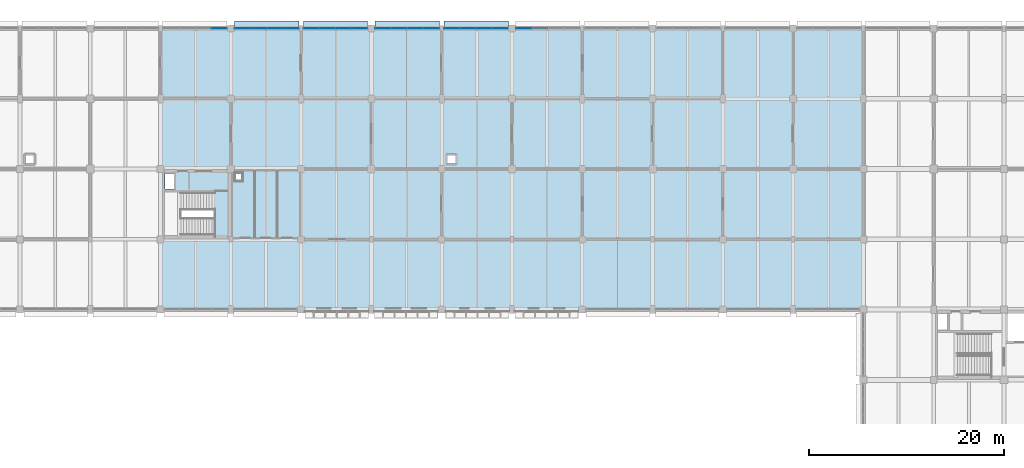
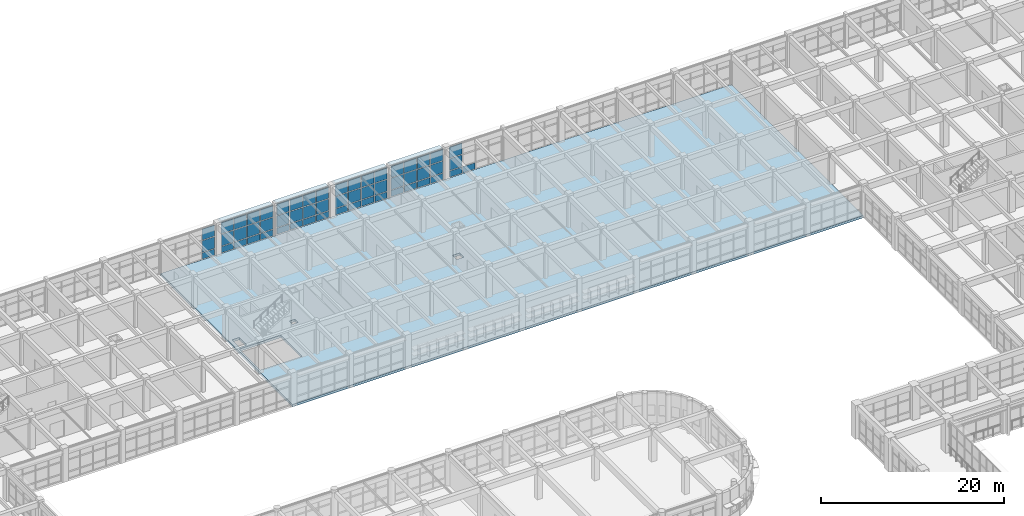
# One storey, part 138 of 171: 59 plates, 1 slab, 6 elements without a shape of their own.
"""IFC4 building model written with IfcOpenShell, lengths in metres."""

from ifc_helpers import new_model, si_unit, direction, frame, origin, origin_2d, place, context, subcontext, project, spatial, polyline, rectangle, outline, extrude, material, layer, layer_set, type_object, element, aggregate, save


model = new_model("IFC4")

# Units and contexts
model_context = context("Model", 3, precision=1e-05, world=origin(), true_north=direction((0.0, 1.0)))
body_context = subcontext(model_context, "Body", "Model", "MODEL_VIEW")
ifc_project = project(units=[si_unit("LENGTHUNIT", "METRE"), si_unit("AREAUNIT", "SQUARE_METRE"), si_unit("VOLUMEUNIT", "CUBIC_METRE"), si_unit("PLANEANGLEUNIT", "RADIAN"), si_unit("MASSUNIT", "GRAM", prefix="KILO")], contexts=[model_context])

# Site, building, storey
site_placement = place(None, origin())
site = spatial("IfcSite", under=ifc_project, at=site_placement, CompositionType="ELEMENT")
building_placement = place(site_placement, origin())
building = spatial("IfcBuilding", under=site, at=building_placement, Name="Thalmaran Polytechnic", CompositionType="ELEMENT")
storey_placement = place(building_placement, frame((0.0, 0.0, 5.39990234375)))
storey = spatial("IfcBuildingStorey", under=building, at=storey_placement, Name="L01", CompositionType="ELEMENT", Elevation=5.39990234375)

# Plates
ifc_material_1 = material(Name="Anodised aluminium sun-hood eyebrow", Category="aluminium")
ifc_layer_1 = layer(ifc_material_1, 0.0849609375, Name="Anodised aluminium sun-hood eyebrow")
ifc_layer_set_1 = layer_set([ifc_layer_1], Name="Anodised aluminium sun-hood eyebrow")
plate_type_1 = type_object("IfcPlateType", Name="PT-EB01", PredefinedType="SHEET", material=ifc_layer_set_1)
for number, where, z_axis, x_axis, name in (
    (1, (68.47998046875, 122.760009765625, 4.107666015625), (0.0, 0.0, 1.0), (1.0, 0.0, 0.0), "Streamline Sun-Hood Eyebrow L01-CW088"),
    (2, (75.52001953125, 122.760009765625, 4.107666015625), (0.0, 0.0, 1.0), (1.0, 0.0, 0.0), "Streamline Sun-Hood Eyebrow L01-CW089"),
    (3, (82.8798828125, 122.760009765625, 4.107666015625), (0.0, 0.0, 1.0), (1.0, 0.0, 0.0), "Streamline Sun-Hood Eyebrow L01-CW090"),
    (4, (89.919921875, 122.760009765625, 4.107666015625), (0.0, 0.0, 1.0), (1.0, 0.0, 0.0), "Streamline Sun-Hood Eyebrow L01-CW091"),
):
    element("IfcPlate", number, at=place(storey_placement, frame(where, z_axis=z_axis, x_axis=x_axis)), inside=storey, type_object=plate_type_1, Name=name, PredefinedType="SHEET", context=body_context, shape_type="SweptSolid", body=[
        extrude(rectangle(XDim=6.60009765625, YDim=0.760009765625, at=origin_2d()), origin(), (0.0, 0.0, 1.0), 0.0849609375),
    ])

# Curtain wall, plates
ifc_material_2 = material(Name="Aluminium 6063-T6", Category="aluminium")
curtain_wall_type = type_object("IfcCurtainWallType", Name="CW-UC02", PredefinedType="USERDEFINED", material=ifc_material_2)
curtain_wall_1_placement = place(storey_placement, origin())
curtain_wall_1 = element("IfcCurtainWall", 5, at=curtain_wall_1_placement, inside=storey, type_object=curtain_wall_type, Name="Curtain Wall CW-L01-090", ObjectType="UNITISED CURTAIN WALL", PredefinedType="USERDEFINED")
ifc_material_3 = material(Name="Solar-control double low-E glass", Category="glass")
ifc_layer_2 = layer(ifc_material_3, 0.035888671875, Name="Solar-control double low-E glass")
ifc_layer_set_2 = layer_set([ifc_layer_2], Name="Solar-control double low-E glass")
plate_type_2 = type_object("IfcPlateType", Name="PT-GL01", PredefinedType="CURTAIN_PANEL", material=ifc_layer_set_2)
plate_1_placement = place(storey_placement, frame((80.389892578125, 122.39990234375, 1.000244140625), z_axis=(0.0, 0.0, 1.0), x_axis=(1.0, 0.0, 0.0)))
plate_1 = element("IfcPlate", 6, at=plate_1_placement, type_object=plate_type_2, Name="CW-L01-090 Vision Panel 1-2", PredefinedType="CURTAIN_PANEL", context=body_context, shape_type="SweptSolid", body=[
    extrude(rectangle(XDim=1.56005859375, YDim=0.035888671875, at=origin_2d()), origin(), (0.0, 0.0, 1.0), 1.544921875),
])
plate_2_placement = place(storey_placement, frame((80.389892578125, 122.39990234375, 2.625), z_axis=(0.0, 0.0, 1.0), x_axis=(1.0, 0.0, 0.0)))
plate_2 = element("IfcPlate", 7, at=plate_2_placement, type_object=plate_type_2, Name="CW-L01-090 Vision Panel 1-3", PredefinedType="CURTAIN_PANEL", context=body_context, shape_type="SweptSolid", body=[
    extrude(rectangle(XDim=1.56005859375, YDim=0.035888671875, at=origin_2d()), origin(), (0.0, 0.0, 1.0), 1.485107421875),
])
plate_3_placement = place(storey_placement, frame((82.050048828125, 122.39990234375, 1.000244140625), z_axis=(0.0, 0.0, 1.0), x_axis=(1.0, 0.0, 0.0)))
plate_3 = element("IfcPlate", 8, at=plate_3_placement, type_object=plate_type_2, Name="CW-L01-090 Vision Panel 2-2", PredefinedType="CURTAIN_PANEL", context=body_context, shape_type="SweptSolid", body=[
    extrude(rectangle(XDim=1.56005859375, YDim=0.035888671875, at=origin_2d()), origin(), (0.0, 0.0, 1.0), 1.544921875),
])
plate_4_placement = place(storey_placement, frame((82.050048828125, 122.39990234375, 2.625), z_axis=(0.0, 0.0, 1.0), x_axis=(1.0, 0.0, 0.0)))
plate_4 = element("IfcPlate", 9, at=plate_4_placement, type_object=plate_type_2, Name="CW-L01-090 Vision Panel 2-3", PredefinedType="CURTAIN_PANEL", context=body_context, shape_type="SweptSolid", body=[
    extrude(rectangle(XDim=1.56005859375, YDim=0.035888671875, at=origin_2d()), origin(), (0.0, 0.0, 1.0), 1.485107421875),
])
plate_5_placement = place(storey_placement, frame((83.7099609375, 122.39990234375, 1.000244140625), z_axis=(0.0, 0.0, 1.0), x_axis=(1.0, 0.0, 0.0)))
plate_5 = element("IfcPlate", 10, at=plate_5_placement, type_object=plate_type_2, Name="CW-L01-090 Vision Panel 3-2", PredefinedType="CURTAIN_PANEL", context=body_context, shape_type="SweptSolid", body=[
    extrude(rectangle(XDim=1.56005859375, YDim=0.035888671875, at=origin_2d()), origin(), (0.0, 0.0, 1.0), 1.544921875),
])
plate_6_placement = place(storey_placement, frame((83.7099609375, 122.39990234375, 2.625), z_axis=(0.0, 0.0, 1.0), x_axis=(1.0, 0.0, 0.0)))
plate_6 = element("IfcPlate", 11, at=plate_6_placement, type_object=plate_type_2, Name="CW-L01-090 Vision Panel 3-3", PredefinedType="CURTAIN_PANEL", context=body_context, shape_type="SweptSolid", body=[
    extrude(rectangle(XDim=1.56005859375, YDim=0.035888671875, at=origin_2d()), origin(), (0.0, 0.0, 1.0), 1.485107421875),
])
plate_7_placement = place(storey_placement, frame((85.3701171875, 122.39990234375, 1.000244140625), z_axis=(0.0, 0.0, 1.0), x_axis=(1.0, 0.0, 0.0)))
plate_7 = element("IfcPlate", 12, at=plate_7_placement, type_object=plate_type_2, Name="CW-L01-090 Vision Panel 4-2", PredefinedType="CURTAIN_PANEL", context=body_context, shape_type="SweptSolid", body=[
    extrude(rectangle(XDim=1.56005859375, YDim=0.035888671875, at=origin_2d()), origin(), (0.0, 0.0, 1.0), 1.544921875),
])
plate_8_placement = place(storey_placement, frame((85.3701171875, 122.39990234375, 2.625), z_axis=(0.0, 0.0, 1.0), x_axis=(1.0, 0.0, 0.0)))
plate_8 = element("IfcPlate", 13, at=plate_8_placement, type_object=plate_type_2, Name="CW-L01-090 Vision Panel 4-3", PredefinedType="CURTAIN_PANEL", context=body_context, shape_type="SweptSolid", body=[
    extrude(rectangle(XDim=1.56005859375, YDim=0.035888671875, at=origin_2d()), origin(), (0.0, 0.0, 1.0), 1.485107421875),
])

curtain_wall_2_placement = place(storey_placement, origin())
curtain_wall_2 = element("IfcCurtainWall", 14, at=curtain_wall_2_placement, inside=storey, type_object=curtain_wall_type, Name="Curtain Wall CW-L01-091", ObjectType="UNITISED CURTAIN WALL", PredefinedType="USERDEFINED")
ifc_layer_3 = layer(ifc_material_3, 0.035888671875, Name="Solar-control double low-E glass")
ifc_layer_set_3 = layer_set([ifc_layer_3], Name="Solar-control double low-E glass")
plate_type_3 = type_object("IfcPlateType", Name="PT-GL02", PredefinedType="CURTAIN_PANEL", material=ifc_layer_set_3)
plate_9_placement = place(storey_placement, frame((87.429931640625, 122.39990234375, 1.000244140625), z_axis=(0.0, 0.0, 1.0), x_axis=(1.0, 0.0, 0.0)))
plate_9 = element("IfcPlate", 15, at=plate_9_placement, type_object=plate_type_3, Name="CW-L01-091 Vision Panel 1-2", PredefinedType="CURTAIN_PANEL", context=body_context, shape_type="SweptSolid", body=[
    extrude(rectangle(XDim=1.56005859375, YDim=0.035888671875, at=origin_2d()), origin(), (0.0, 0.0, 1.0), 1.544921875),
])
plate_10_placement = place(storey_placement, frame((87.429931640625, 122.39990234375, 2.625), z_axis=(0.0, 0.0, 1.0), x_axis=(1.0, 0.0, 0.0)))
plate_10 = element("IfcPlate", 16, at=plate_10_placement, type_object=plate_type_3, Name="CW-L01-091 Vision Panel 1-3", PredefinedType="CURTAIN_PANEL", context=body_context, shape_type="SweptSolid", body=[
    extrude(rectangle(XDim=1.56005859375, YDim=0.035888671875, at=origin_2d()), origin(), (0.0, 0.0, 1.0), 1.485107421875),
])
plate_11_placement = place(storey_placement, frame((89.090087890625, 122.39990234375, 1.000244140625), z_axis=(0.0, 0.0, 1.0), x_axis=(1.0, 0.0, 0.0)))
plate_11 = element("IfcPlate", 17, at=plate_11_placement, type_object=plate_type_3, Name="CW-L01-091 Vision Panel 2-2", PredefinedType="CURTAIN_PANEL", context=body_context, shape_type="SweptSolid", body=[
    extrude(rectangle(XDim=1.56005859375, YDim=0.035888671875, at=origin_2d()), origin(), (0.0, 0.0, 1.0), 1.544921875),
])
plate_12_placement = place(storey_placement, frame((89.090087890625, 122.39990234375, 2.625), z_axis=(0.0, 0.0, 1.0), x_axis=(1.0, 0.0, 0.0)))
plate_12 = element("IfcPlate", 18, at=plate_12_placement, type_object=plate_type_3, Name="CW-L01-091 Vision Panel 2-3", PredefinedType="CURTAIN_PANEL", context=body_context, shape_type="SweptSolid", body=[
    extrude(rectangle(XDim=1.56005859375, YDim=0.035888671875, at=origin_2d()), origin(), (0.0, 0.0, 1.0), 1.485107421875),
])
plate_13_placement = place(storey_placement, frame((90.75, 122.39990234375, 1.000244140625), z_axis=(0.0, 0.0, 1.0), x_axis=(1.0, 0.0, 0.0)))
plate_13 = element("IfcPlate", 19, at=plate_13_placement, type_object=plate_type_3, Name="CW-L01-091 Vision Panel 3-2", PredefinedType="CURTAIN_PANEL", context=body_context, shape_type="SweptSolid", body=[
    extrude(rectangle(XDim=1.56005859375, YDim=0.035888671875, at=origin_2d()), origin(), (0.0, 0.0, 1.0), 1.544921875),
])
plate_14_placement = place(storey_placement, frame((90.75, 122.39990234375, 2.625), z_axis=(0.0, 0.0, 1.0), x_axis=(1.0, 0.0, 0.0)))
plate_14 = element("IfcPlate", 20, at=plate_14_placement, type_object=plate_type_3, Name="CW-L01-091 Vision Panel 3-3", PredefinedType="CURTAIN_PANEL", context=body_context, shape_type="SweptSolid", body=[
    extrude(rectangle(XDim=1.56005859375, YDim=0.035888671875, at=origin_2d()), origin(), (0.0, 0.0, 1.0), 1.485107421875),
])
plate_15_placement = place(storey_placement, frame((92.409912109375, 122.39990234375, 1.000244140625), z_axis=(0.0, 0.0, 1.0), x_axis=(1.0, 0.0, 0.0)))
plate_15 = element("IfcPlate", 21, at=plate_15_placement, type_object=plate_type_3, Name="CW-L01-091 Vision Panel 4-2", PredefinedType="CURTAIN_PANEL", context=body_context, shape_type="SweptSolid", body=[
    extrude(rectangle(XDim=1.56005859375, YDim=0.035888671875, at=origin_2d()), origin(), (0.0, 0.0, 1.0), 1.544921875),
])
plate_16_placement = place(storey_placement, frame((92.409912109375, 122.39990234375, 2.625), z_axis=(0.0, 0.0, 1.0), x_axis=(1.0, 0.0, 0.0)))
plate_16 = element("IfcPlate", 22, at=plate_16_placement, type_object=plate_type_3, Name="CW-L01-091 Vision Panel 4-3", PredefinedType="CURTAIN_PANEL", context=body_context, shape_type="SweptSolid", body=[
    extrude(rectangle(XDim=1.56005859375, YDim=0.035888671875, at=origin_2d()), origin(), (0.0, 0.0, 1.0), 1.485107421875),
])

curtain_wall_3_placement = place(storey_placement, origin())
curtain_wall_3 = element("IfcCurtainWall", 23, at=curtain_wall_3_placement, inside=storey, type_object=curtain_wall_type, Name="Curtain Wall CW-L01-087", ObjectType="UNITISED CURTAIN WALL", PredefinedType="USERDEFINED")
ifc_layer_4 = layer(ifc_material_3, 0.035888671875, Name="Solar-control double low-E glass")
ifc_layer_set_4 = layer_set([ifc_layer_4], Name="Solar-control double low-E glass")
plate_type_4 = type_object("IfcPlateType", Name="PT-GL03", PredefinedType="CURTAIN_PANEL", material=ifc_layer_set_4)
plate_17_placement = place(storey_placement, frame((63.610107421875, 122.39990234375, 1.000244140625), z_axis=(0.0, 0.0, 1.0), x_axis=(1.0, 0.0, 0.0)))
plate_17 = element("IfcPlate", 24, at=plate_17_placement, type_object=plate_type_4, Name="CW-L01-087 Vision Panel 4-2", PredefinedType="CURTAIN_PANEL", context=body_context, shape_type="SweptSolid", body=[
    extrude(rectangle(XDim=1.56005859375, YDim=0.035888671875, at=origin_2d()), origin(), (0.0, 0.0, 1.0), 1.544921875),
])
plate_18_placement = place(storey_placement, frame((63.610107421875, 122.39990234375, 2.625), z_axis=(0.0, 0.0, 1.0), x_axis=(1.0, 0.0, 0.0)))
plate_18 = element("IfcPlate", 25, at=plate_18_placement, type_object=plate_type_4, Name="CW-L01-087 Vision Panel 4-3", PredefinedType="CURTAIN_PANEL", context=body_context, shape_type="SweptSolid", body=[
    extrude(rectangle(XDim=1.56005859375, YDim=0.035888671875, at=origin_2d()), origin(), (0.0, 0.0, 1.0), 1.485107421875),
])

curtain_wall_4_placement = place(storey_placement, origin())
curtain_wall_4 = element("IfcCurtainWall", 26, at=curtain_wall_4_placement, inside=storey, type_object=curtain_wall_type, Name="Curtain Wall CW-L01-092", ObjectType="UNITISED CURTAIN WALL", PredefinedType="USERDEFINED")
plate_19_placement = place(storey_placement, frame((94.7900390625, 122.39990234375, 1.000244140625), z_axis=(0.0, 0.0, 1.0), x_axis=(1.0, 0.0, 0.0)))
plate_19 = element("IfcPlate", 27, at=plate_19_placement, type_object=plate_type_4, Name="CW-L01-092 Vision Panel 1-2", PredefinedType="CURTAIN_PANEL", context=body_context, shape_type="SweptSolid", body=[
    extrude(rectangle(XDim=1.56005859375, YDim=0.035888671875, at=origin_2d()), origin(), (0.0, 0.0, 1.0), 1.544921875),
])
plate_20_placement = place(storey_placement, frame((94.7900390625, 122.39990234375, 2.625), z_axis=(0.0, 0.0, 1.0), x_axis=(1.0, 0.0, 0.0)))
plate_20 = element("IfcPlate", 28, at=plate_20_placement, type_object=plate_type_4, Name="CW-L01-092 Vision Panel 1-3", PredefinedType="CURTAIN_PANEL", context=body_context, shape_type="SweptSolid", body=[
    extrude(rectangle(XDim=1.56005859375, YDim=0.035888671875, at=origin_2d()), origin(), (0.0, 0.0, 1.0), 1.485107421875),
])

curtain_wall_5_placement = place(storey_placement, origin())
curtain_wall_5 = element("IfcCurtainWall", 29, at=curtain_wall_5_placement, inside=storey, type_object=curtain_wall_type, Name="Curtain Wall CW-L01-088", ObjectType="UNITISED CURTAIN WALL", PredefinedType="USERDEFINED")
ifc_layer_5 = layer(ifc_material_3, 0.035888671875, Name="Solar-control double low-E glass")
ifc_layer_set_5 = layer_set([ifc_layer_5], Name="Solar-control double low-E glass")
plate_type_5 = type_object("IfcPlateType", Name="PT-GL04", PredefinedType="CURTAIN_PANEL", material=ifc_layer_set_5)
plate_21_placement = place(storey_placement, frame((65.989990234375, 122.39990234375, 1.000244140625), z_axis=(0.0, 0.0, 1.0), x_axis=(1.0, 0.0, 0.0)))
plate_21 = element("IfcPlate", 30, at=plate_21_placement, type_object=plate_type_5, Name="CW-L01-088 Vision Panel 1-2", PredefinedType="CURTAIN_PANEL", context=body_context, shape_type="SweptSolid", body=[
    extrude(rectangle(XDim=1.56005859375, YDim=0.035888671875, at=origin_2d()), origin(), (0.0, 0.0, 1.0), 1.544921875),
])
plate_22_placement = place(storey_placement, frame((65.989990234375, 122.39990234375, 2.625), z_axis=(0.0, 0.0, 1.0), x_axis=(1.0, 0.0, 0.0)))
plate_22 = element("IfcPlate", 31, at=plate_22_placement, type_object=plate_type_5, Name="CW-L01-088 Vision Panel 1-3", PredefinedType="CURTAIN_PANEL", context=body_context, shape_type="SweptSolid", body=[
    extrude(rectangle(XDim=1.56005859375, YDim=0.035888671875, at=origin_2d()), origin(), (0.0, 0.0, 1.0), 1.485107421875),
])
plate_23_placement = place(storey_placement, frame((67.64990234375, 122.39990234375, 1.000244140625), z_axis=(0.0, 0.0, 1.0), x_axis=(1.0, 0.0, 0.0)))
plate_23 = element("IfcPlate", 32, at=plate_23_placement, type_object=plate_type_5, Name="CW-L01-088 Vision Panel 2-2", PredefinedType="CURTAIN_PANEL", context=body_context, shape_type="SweptSolid", body=[
    extrude(rectangle(XDim=1.56005859375, YDim=0.035888671875, at=origin_2d()), origin(), (0.0, 0.0, 1.0), 1.544921875),
])
plate_24_placement = place(storey_placement, frame((67.64990234375, 122.39990234375, 2.625), z_axis=(0.0, 0.0, 1.0), x_axis=(1.0, 0.0, 0.0)))
plate_24 = element("IfcPlate", 33, at=plate_24_placement, type_object=plate_type_5, Name="CW-L01-088 Vision Panel 2-3", PredefinedType="CURTAIN_PANEL", context=body_context, shape_type="SweptSolid", body=[
    extrude(rectangle(XDim=1.56005859375, YDim=0.035888671875, at=origin_2d()), origin(), (0.0, 0.0, 1.0), 1.485107421875),
])
plate_25_placement = place(storey_placement, frame((69.31005859375, 122.39990234375, 1.000244140625), z_axis=(0.0, 0.0, 1.0), x_axis=(1.0, 0.0, 0.0)))
plate_25 = element("IfcPlate", 34, at=plate_25_placement, type_object=plate_type_5, Name="CW-L01-088 Vision Panel 3-2", PredefinedType="CURTAIN_PANEL", context=body_context, shape_type="SweptSolid", body=[
    extrude(rectangle(XDim=1.56005859375, YDim=0.035888671875, at=origin_2d()), origin(), (0.0, 0.0, 1.0), 1.544921875),
])
plate_26_placement = place(storey_placement, frame((69.31005859375, 122.39990234375, 2.625), z_axis=(0.0, 0.0, 1.0), x_axis=(1.0, 0.0, 0.0)))
plate_26 = element("IfcPlate", 35, at=plate_26_placement, type_object=plate_type_5, Name="CW-L01-088 Vision Panel 3-3", PredefinedType="CURTAIN_PANEL", context=body_context, shape_type="SweptSolid", body=[
    extrude(rectangle(XDim=1.56005859375, YDim=0.035888671875, at=origin_2d()), origin(), (0.0, 0.0, 1.0), 1.485107421875),
])
plate_27_placement = place(storey_placement, frame((70.969970703125, 122.39990234375, 1.000244140625), z_axis=(0.0, 0.0, 1.0), x_axis=(1.0, 0.0, 0.0)))
plate_27 = element("IfcPlate", 36, at=plate_27_placement, type_object=plate_type_5, Name="CW-L01-088 Vision Panel 4-2", PredefinedType="CURTAIN_PANEL", context=body_context, shape_type="SweptSolid", body=[
    extrude(rectangle(XDim=1.56005859375, YDim=0.035888671875, at=origin_2d()), origin(), (0.0, 0.0, 1.0), 1.544921875),
])
plate_28_placement = place(storey_placement, frame((70.969970703125, 122.39990234375, 2.625), z_axis=(0.0, 0.0, 1.0), x_axis=(1.0, 0.0, 0.0)))
plate_28 = element("IfcPlate", 37, at=plate_28_placement, type_object=plate_type_5, Name="CW-L01-088 Vision Panel 4-3", PredefinedType="CURTAIN_PANEL", context=body_context, shape_type="SweptSolid", body=[
    extrude(rectangle(XDim=1.56005859375, YDim=0.035888671875, at=origin_2d()), origin(), (0.0, 0.0, 1.0), 1.485107421875),
])

curtain_wall_6_placement = place(storey_placement, origin())
curtain_wall_6 = element("IfcCurtainWall", 38, at=curtain_wall_6_placement, inside=storey, type_object=curtain_wall_type, Name="Curtain Wall CW-L01-089", ObjectType="UNITISED CURTAIN WALL", PredefinedType="USERDEFINED")
ifc_layer_6 = layer(ifc_material_3, 0.035888671875, Name="Solar-control double low-E glass")
ifc_layer_set_6 = layer_set([ifc_layer_6], Name="Solar-control double low-E glass")
plate_type_6 = type_object("IfcPlateType", Name="PT-GL05", PredefinedType="CURTAIN_PANEL", material=ifc_layer_set_6)
plate_29_placement = place(storey_placement, frame((73.030029296875, 122.39990234375, 1.000244140625), z_axis=(0.0, 0.0, 1.0), x_axis=(1.0, 0.0, 0.0)))
plate_29 = element("IfcPlate", 39, at=plate_29_placement, type_object=plate_type_6, Name="CW-L01-089 Vision Panel 1-2", PredefinedType="CURTAIN_PANEL", context=body_context, shape_type="SweptSolid", body=[
    extrude(rectangle(XDim=1.56005859375, YDim=0.035888671875, at=origin_2d()), origin(), (0.0, 0.0, 1.0), 1.544921875),
])
plate_30_placement = place(storey_placement, frame((73.030029296875, 122.39990234375, 2.625), z_axis=(0.0, 0.0, 1.0), x_axis=(1.0, 0.0, 0.0)))
plate_30 = element("IfcPlate", 40, at=plate_30_placement, type_object=plate_type_6, Name="CW-L01-089 Vision Panel 1-3", PredefinedType="CURTAIN_PANEL", context=body_context, shape_type="SweptSolid", body=[
    extrude(rectangle(XDim=1.56005859375, YDim=0.035888671875, at=origin_2d()), origin(), (0.0, 0.0, 1.0), 1.485107421875),
])
plate_31_placement = place(storey_placement, frame((74.68994140625, 122.39990234375, 1.000244140625), z_axis=(0.0, 0.0, 1.0), x_axis=(1.0, 0.0, 0.0)))
plate_31 = element("IfcPlate", 41, at=plate_31_placement, type_object=plate_type_6, Name="CW-L01-089 Vision Panel 2-2", PredefinedType="CURTAIN_PANEL", context=body_context, shape_type="SweptSolid", body=[
    extrude(rectangle(XDim=1.56005859375, YDim=0.035888671875, at=origin_2d()), origin(), (0.0, 0.0, 1.0), 1.544921875),
])
plate_32_placement = place(storey_placement, frame((74.68994140625, 122.39990234375, 2.625), z_axis=(0.0, 0.0, 1.0), x_axis=(1.0, 0.0, 0.0)))
plate_32 = element("IfcPlate", 42, at=plate_32_placement, type_object=plate_type_6, Name="CW-L01-089 Vision Panel 2-3", PredefinedType="CURTAIN_PANEL", context=body_context, shape_type="SweptSolid", body=[
    extrude(rectangle(XDim=1.56005859375, YDim=0.035888671875, at=origin_2d()), origin(), (0.0, 0.0, 1.0), 1.485107421875),
])
plate_33_placement = place(storey_placement, frame((76.35009765625, 122.39990234375, 1.000244140625), z_axis=(0.0, 0.0, 1.0), x_axis=(1.0, 0.0, 0.0)))
plate_33 = element("IfcPlate", 43, at=plate_33_placement, type_object=plate_type_6, Name="CW-L01-089 Vision Panel 3-2", PredefinedType="CURTAIN_PANEL", context=body_context, shape_type="SweptSolid", body=[
    extrude(rectangle(XDim=1.56005859375, YDim=0.035888671875, at=origin_2d()), origin(), (0.0, 0.0, 1.0), 1.544921875),
])
plate_34_placement = place(storey_placement, frame((76.35009765625, 122.39990234375, 2.625), z_axis=(0.0, 0.0, 1.0), x_axis=(1.0, 0.0, 0.0)))
plate_34 = element("IfcPlate", 44, at=plate_34_placement, type_object=plate_type_6, Name="CW-L01-089 Vision Panel 3-3", PredefinedType="CURTAIN_PANEL", context=body_context, shape_type="SweptSolid", body=[
    extrude(rectangle(XDim=1.56005859375, YDim=0.035888671875, at=origin_2d()), origin(), (0.0, 0.0, 1.0), 1.485107421875),
])
plate_35_placement = place(storey_placement, frame((78.010009765625, 122.39990234375, 1.000244140625), z_axis=(0.0, 0.0, 1.0), x_axis=(1.0, 0.0, 0.0)))
plate_35 = element("IfcPlate", 45, at=plate_35_placement, type_object=plate_type_6, Name="CW-L01-089 Vision Panel 4-2", PredefinedType="CURTAIN_PANEL", context=body_context, shape_type="SweptSolid", body=[
    extrude(rectangle(XDim=1.56005859375, YDim=0.035888671875, at=origin_2d()), origin(), (0.0, 0.0, 1.0), 1.544921875),
])
plate_36_placement = place(storey_placement, frame((78.010009765625, 122.39990234375, 2.625), z_axis=(0.0, 0.0, 1.0), x_axis=(1.0, 0.0, 0.0)))
plate_36 = element("IfcPlate", 46, at=plate_36_placement, type_object=plate_type_6, Name="CW-L01-089 Vision Panel 4-3", PredefinedType="CURTAIN_PANEL", context=body_context, shape_type="SweptSolid", body=[
    extrude(rectangle(XDim=1.56005859375, YDim=0.035888671875, at=origin_2d()), origin(), (0.0, 0.0, 1.0), 1.485107421875),
])

# Plate
ifc_material_4 = material(Name="Insulated anodised aluminium spandrel", Category="aluminium")
ifc_layer_7 = layer(ifc_material_4, 0.06005859375, Name="Insulated anodised aluminium spandrel")
ifc_layer_set_7 = layer_set([ifc_layer_7], Name="Insulated anodised aluminium spandrel")
plate_type_7 = type_object("IfcPlateType", Name="PT-SP01", PredefinedType="CURTAIN_PANEL", material=ifc_layer_set_7)
plate_37_placement = place(storey_placement, frame((63.610107421875, 122.39990234375, 0.10009765625), z_axis=(0.0, 0.0, 1.0), x_axis=(1.0, 0.0, 0.0)))
plate_37 = element("IfcPlate", 47, at=plate_37_placement, type_object=plate_type_7, Name="CW-L01-087 Spandrel Panel 4-1", PredefinedType="CURTAIN_PANEL", context=body_context, shape_type="SweptSolid", body=[
    extrude(rectangle(XDim=1.56005859375, YDim=0.06005859375, at=origin_2d()), origin(), (0.0, 0.0, 1.0), 0.820068359375),
])

aggregate(curtain_wall_3, [plate_37, plate_17, plate_18])

plate_38_placement = place(storey_placement, frame((80.389892578125, 122.39990234375, 0.10009765625), z_axis=(0.0, 0.0, 1.0), x_axis=(1.0, 0.0, 0.0)))
plate_38 = element("IfcPlate", 48, at=plate_38_placement, type_object=plate_type_7, Name="CW-L01-090 Spandrel Panel 1-1", PredefinedType="CURTAIN_PANEL", context=body_context, shape_type="SweptSolid", body=[
    extrude(rectangle(XDim=1.56005859375, YDim=0.06005859375, at=origin_2d()), origin(), (0.0, 0.0, 1.0), 0.820068359375),
])

plate_39_placement = place(storey_placement, frame((82.050048828125, 122.39990234375, 0.10009765625), z_axis=(0.0, 0.0, 1.0), x_axis=(1.0, 0.0, 0.0)))
plate_39 = element("IfcPlate", 49, at=plate_39_placement, type_object=plate_type_7, Name="CW-L01-090 Spandrel Panel 2-1", PredefinedType="CURTAIN_PANEL", context=body_context, shape_type="SweptSolid", body=[
    extrude(rectangle(XDim=1.56005859375, YDim=0.06005859375, at=origin_2d()), origin(), (0.0, 0.0, 1.0), 0.820068359375),
])

plate_40_placement = place(storey_placement, frame((83.7099609375, 122.39990234375, 0.10009765625), z_axis=(0.0, 0.0, 1.0), x_axis=(1.0, 0.0, 0.0)))
plate_40 = element("IfcPlate", 50, at=plate_40_placement, type_object=plate_type_7, Name="CW-L01-090 Spandrel Panel 3-1", PredefinedType="CURTAIN_PANEL", context=body_context, shape_type="SweptSolid", body=[
    extrude(rectangle(XDim=1.56005859375, YDim=0.06005859375, at=origin_2d()), origin(), (0.0, 0.0, 1.0), 0.820068359375),
])

plate_41_placement = place(storey_placement, frame((85.3701171875, 122.39990234375, 0.10009765625), z_axis=(0.0, 0.0, 1.0), x_axis=(1.0, 0.0, 0.0)))
plate_41 = element("IfcPlate", 51, at=plate_41_placement, type_object=plate_type_7, Name="CW-L01-090 Spandrel Panel 4-1", PredefinedType="CURTAIN_PANEL", context=body_context, shape_type="SweptSolid", body=[
    extrude(rectangle(XDim=1.56005859375, YDim=0.06005859375, at=origin_2d()), origin(), (0.0, 0.0, 1.0), 0.820068359375),
])

aggregate(curtain_wall_1, [plate_38, plate_1, plate_2, plate_39, plate_3, plate_4, plate_40, plate_5, plate_6, plate_41, plate_7, plate_8])

ifc_layer_8 = layer(ifc_material_4, 0.06005859375, Name="Insulated anodised aluminium spandrel")
ifc_layer_set_8 = layer_set([ifc_layer_8], Name="Insulated anodised aluminium spandrel")
plate_type_8 = type_object("IfcPlateType", Name="PT-SP02", PredefinedType="CURTAIN_PANEL", material=ifc_layer_set_8)
plate_42_placement = place(storey_placement, frame((65.989990234375, 122.39990234375, 0.10009765625), z_axis=(0.0, 0.0, 1.0), x_axis=(1.0, 0.0, 0.0)))
plate_42 = element("IfcPlate", 52, at=plate_42_placement, type_object=plate_type_8, Name="CW-L01-088 Spandrel Panel 1-1", PredefinedType="CURTAIN_PANEL", context=body_context, shape_type="SweptSolid", body=[
    extrude(rectangle(XDim=1.56005859375, YDim=0.06005859375, at=origin_2d()), origin(), (0.0, 0.0, 1.0), 0.820068359375),
])

plate_43_placement = place(storey_placement, frame((67.64990234375, 122.39990234375, 0.10009765625), z_axis=(0.0, 0.0, 1.0), x_axis=(1.0, 0.0, 0.0)))
plate_43 = element("IfcPlate", 53, at=plate_43_placement, type_object=plate_type_8, Name="CW-L01-088 Spandrel Panel 2-1", PredefinedType="CURTAIN_PANEL", context=body_context, shape_type="SweptSolid", body=[
    extrude(rectangle(XDim=1.56005859375, YDim=0.06005859375, at=origin_2d()), origin(), (0.0, 0.0, 1.0), 0.820068359375),
])

plate_44_placement = place(storey_placement, frame((69.31005859375, 122.39990234375, 0.10009765625), z_axis=(0.0, 0.0, 1.0), x_axis=(1.0, 0.0, 0.0)))
plate_44 = element("IfcPlate", 54, at=plate_44_placement, type_object=plate_type_8, Name="CW-L01-088 Spandrel Panel 3-1", PredefinedType="CURTAIN_PANEL", context=body_context, shape_type="SweptSolid", body=[
    extrude(rectangle(XDim=1.56005859375, YDim=0.06005859375, at=origin_2d()), origin(), (0.0, 0.0, 1.0), 0.820068359375),
])

plate_45_placement = place(storey_placement, frame((70.969970703125, 122.39990234375, 0.10009765625), z_axis=(0.0, 0.0, 1.0), x_axis=(1.0, 0.0, 0.0)))
plate_45 = element("IfcPlate", 55, at=plate_45_placement, type_object=plate_type_8, Name="CW-L01-088 Spandrel Panel 4-1", PredefinedType="CURTAIN_PANEL", context=body_context, shape_type="SweptSolid", body=[
    extrude(rectangle(XDim=1.56005859375, YDim=0.06005859375, at=origin_2d()), origin(), (0.0, 0.0, 1.0), 0.820068359375),
])

aggregate(curtain_wall_5, [plate_42, plate_21, plate_22, plate_43, plate_23, plate_24, plate_44, plate_25, plate_26, plate_45, plate_27, plate_28])

plate_46_placement = place(storey_placement, frame((87.429931640625, 122.39990234375, 0.10009765625), z_axis=(0.0, 0.0, 1.0), x_axis=(1.0, 0.0, 0.0)))
plate_46 = element("IfcPlate", 56, at=plate_46_placement, type_object=plate_type_8, Name="CW-L01-091 Spandrel Panel 1-1", PredefinedType="CURTAIN_PANEL", context=body_context, shape_type="SweptSolid", body=[
    extrude(rectangle(XDim=1.56005859375, YDim=0.06005859375, at=origin_2d()), origin(), (0.0, 0.0, 1.0), 0.820068359375),
])

plate_47_placement = place(storey_placement, frame((89.090087890625, 122.39990234375, 0.10009765625), z_axis=(0.0, 0.0, 1.0), x_axis=(1.0, 0.0, 0.0)))
plate_47 = element("IfcPlate", 57, at=plate_47_placement, type_object=plate_type_8, Name="CW-L01-091 Spandrel Panel 2-1", PredefinedType="CURTAIN_PANEL", context=body_context, shape_type="SweptSolid", body=[
    extrude(rectangle(XDim=1.56005859375, YDim=0.06005859375, at=origin_2d()), origin(), (0.0, 0.0, 1.0), 0.820068359375),
])

plate_48_placement = place(storey_placement, frame((90.75, 122.39990234375, 0.10009765625), z_axis=(0.0, 0.0, 1.0), x_axis=(1.0, 0.0, 0.0)))
plate_48 = element("IfcPlate", 58, at=plate_48_placement, type_object=plate_type_8, Name="CW-L01-091 Spandrel Panel 3-1", PredefinedType="CURTAIN_PANEL", context=body_context, shape_type="SweptSolid", body=[
    extrude(rectangle(XDim=1.56005859375, YDim=0.06005859375, at=origin_2d()), origin(), (0.0, 0.0, 1.0), 0.820068359375),
])

plate_49_placement = place(storey_placement, frame((92.409912109375, 122.39990234375, 0.10009765625), z_axis=(0.0, 0.0, 1.0), x_axis=(1.0, 0.0, 0.0)))
plate_49 = element("IfcPlate", 59, at=plate_49_placement, type_object=plate_type_8, Name="CW-L01-091 Spandrel Panel 4-1", PredefinedType="CURTAIN_PANEL", context=body_context, shape_type="SweptSolid", body=[
    extrude(rectangle(XDim=1.56005859375, YDim=0.06005859375, at=origin_2d()), origin(), (0.0, 0.0, 1.0), 0.820068359375),
])

aggregate(curtain_wall_2, [plate_46, plate_9, plate_10, plate_47, plate_11, plate_12, plate_48, plate_13, plate_14, plate_49, plate_15, plate_16])

ifc_layer_9 = layer(ifc_material_4, 0.06005859375, Name="Insulated anodised aluminium spandrel")
ifc_layer_set_9 = layer_set([ifc_layer_9], Name="Insulated anodised aluminium spandrel")
plate_type_9 = type_object("IfcPlateType", Name="PT-SP03", PredefinedType="CURTAIN_PANEL", material=ifc_layer_set_9)
plate_50_placement = place(storey_placement, frame((73.030029296875, 122.39990234375, 0.10009765625), z_axis=(0.0, 0.0, 1.0), x_axis=(1.0, 0.0, 0.0)))
plate_50 = element("IfcPlate", 60, at=plate_50_placement, type_object=plate_type_9, Name="CW-L01-089 Spandrel Panel 1-1", PredefinedType="CURTAIN_PANEL", context=body_context, shape_type="SweptSolid", body=[
    extrude(rectangle(XDim=1.56005859375, YDim=0.06005859375, at=origin_2d()), origin(), (0.0, 0.0, 1.0), 0.820068359375),
])

plate_51_placement = place(storey_placement, frame((74.68994140625, 122.39990234375, 0.10009765625), z_axis=(0.0, 0.0, 1.0), x_axis=(1.0, 0.0, 0.0)))
plate_51 = element("IfcPlate", 61, at=plate_51_placement, type_object=plate_type_9, Name="CW-L01-089 Spandrel Panel 2-1", PredefinedType="CURTAIN_PANEL", context=body_context, shape_type="SweptSolid", body=[
    extrude(rectangle(XDim=1.56005859375, YDim=0.06005859375, at=origin_2d()), origin(), (0.0, 0.0, 1.0), 0.820068359375),
])

plate_52_placement = place(storey_placement, frame((76.35009765625, 122.39990234375, 0.10009765625), z_axis=(0.0, 0.0, 1.0), x_axis=(1.0, 0.0, 0.0)))
plate_52 = element("IfcPlate", 62, at=plate_52_placement, type_object=plate_type_9, Name="CW-L01-089 Spandrel Panel 3-1", PredefinedType="CURTAIN_PANEL", context=body_context, shape_type="SweptSolid", body=[
    extrude(rectangle(XDim=1.56005859375, YDim=0.06005859375, at=origin_2d()), origin(), (0.0, 0.0, 1.0), 0.820068359375),
])

plate_53_placement = place(storey_placement, frame((78.010009765625, 122.39990234375, 0.10009765625), z_axis=(0.0, 0.0, 1.0), x_axis=(1.0, 0.0, 0.0)))
plate_53 = element("IfcPlate", 63, at=plate_53_placement, type_object=plate_type_9, Name="CW-L01-089 Spandrel Panel 4-1", PredefinedType="CURTAIN_PANEL", context=body_context, shape_type="SweptSolid", body=[
    extrude(rectangle(XDim=1.56005859375, YDim=0.06005859375, at=origin_2d()), origin(), (0.0, 0.0, 1.0), 0.820068359375),
])

aggregate(curtain_wall_6, [plate_50, plate_29, plate_30, plate_51, plate_31, plate_32, plate_52, plate_33, plate_34, plate_53, plate_35, plate_36])

plate_54_placement = place(storey_placement, frame((94.7900390625, 122.39990234375, 0.10009765625), z_axis=(0.0, 0.0, 1.0), x_axis=(1.0, 0.0, 0.0)))
plate_54 = element("IfcPlate", 64, at=plate_54_placement, type_object=plate_type_9, Name="CW-L01-092 Spandrel Panel 1-1", PredefinedType="CURTAIN_PANEL", context=body_context, shape_type="SweptSolid", body=[
    extrude(rectangle(XDim=1.56005859375, YDim=0.06005859375, at=origin_2d()), origin(), (0.0, 0.0, 1.0), 0.820068359375),
])

plate_55_placement = place(storey_placement, frame((96.449951171875, 122.39990234375, 0.10009765625), z_axis=(0.0, 0.0, 1.0), x_axis=(1.0, 0.0, 0.0)))
plate_55 = element("IfcPlate", 65, at=plate_55_placement, type_object=plate_type_9, Name="CW-L01-092 Spandrel Panel 2-1", PredefinedType="CURTAIN_PANEL", context=body_context, shape_type="SweptSolid", body=[
    extrude(rectangle(XDim=1.56005859375, YDim=0.06005859375, at=origin_2d()), origin(), (0.0, 0.0, 1.0), 0.820068359375),
])

aggregate(curtain_wall_4, [plate_54, plate_19, plate_20, plate_55])

# Slab
ifc_material_5 = material(Name="Concrete C40/50", Category="concrete")
ifc_layer_10 = layer(ifc_material_5, 0.31005859375, Name="Concrete C40/50")
ifc_layer_set_10 = layer_set([ifc_layer_10], Name="Concrete C40/50")
slab_type = type_object("IfcSlabType", Name="SL-FL03", PredefinedType="FLOOR", material=ifc_layer_set_10)
slab_placement = place(storey_placement, frame((0.0, 0.0, -0.309814453125)))
element("IfcSlab", 66, at=slab_placement, inside=storey, type_object=slab_type, Name="V2E L01 Structural Slab", PredefinedType="FLOOR", context=body_context, shape_type="SweptSolid", body=[
    extrude(outline(polyline([(57.60009765625, 100.800048828125), (57.60009765625, 108.0), (57.60009765625, 115.199951171875), (57.60009765625, 122.39990234375), (64.800048828125, 122.39990234375), (72.0, 122.39990234375), (79.199951171875, 122.39990234375), (86.39990234375, 122.39990234375), (93.60009765625, 122.39990234375), (100.800048828125, 122.39990234375), (108.0, 122.39990234375), (115.199951171875, 122.39990234375), (122.39990234375, 122.39990234375), (129.60009765625, 122.39990234375), (129.60009765625, 115.199951171875), (129.60009765625, 108.0), (129.60009765625, 100.800048828125), (129.60009765625, 93.60009765625), (122.39990234375, 93.60009765625), (115.199951171875, 93.60009765625), (108.0, 93.60009765625), (100.800048828125, 93.60009765625), (93.60009765625, 93.60009765625), (86.39990234375, 93.60009765625), (79.199951171875, 93.60009765625), (72.0, 93.60009765625), (64.800048828125, 93.60009765625), (57.60009765625, 93.60009765625), (57.60009765625, 100.800048828125)]), holes=[polyline([(87.85009765625, 109.449951171875), (86.949951171875, 109.449951171875), (86.949951171875, 108.550048828125), (87.85009765625, 108.550048828125), (87.85009765625, 109.449951171875)]), polyline([(65.25, 107.530029296875), (65.25, 106.830078125), (65.949951171875, 106.830078125), (65.949951171875, 107.530029296875), (65.25, 107.530029296875)]), polyline([(63.1201171875, 101.050048828125), (63.1201171875, 105.639892578125), (57.85009765625, 105.639892578125), (57.85009765625, 101.050048828125), (63.1201171875, 101.050048828125)]), polyline([(58.0400390625, 105.93994140625), (58.9599609375, 105.93994140625), (58.9599609375, 107.56005859375), (58.0400390625, 107.56005859375), (58.0400390625, 105.93994140625)])]), origin(), (0.0, 0.0, 1.0), 0.309814453125),
])

save(model, "model.ifc")
